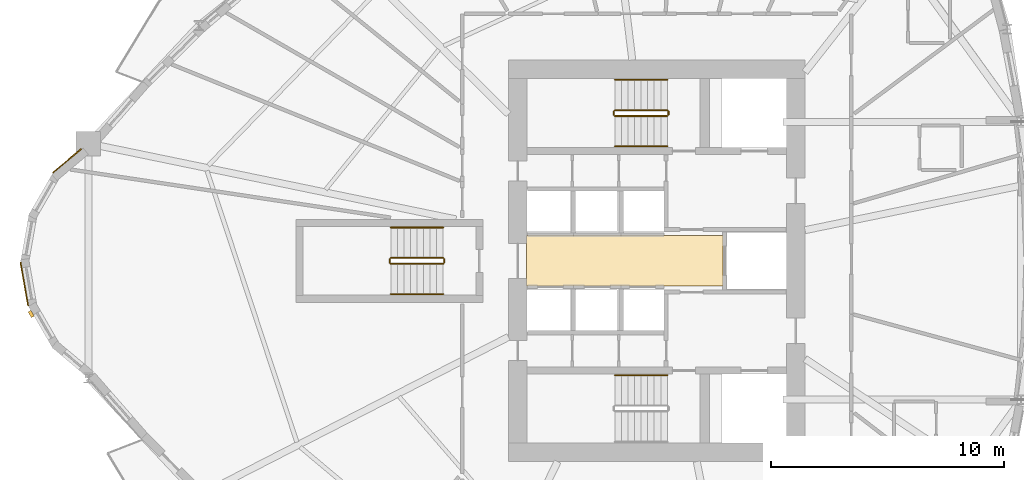
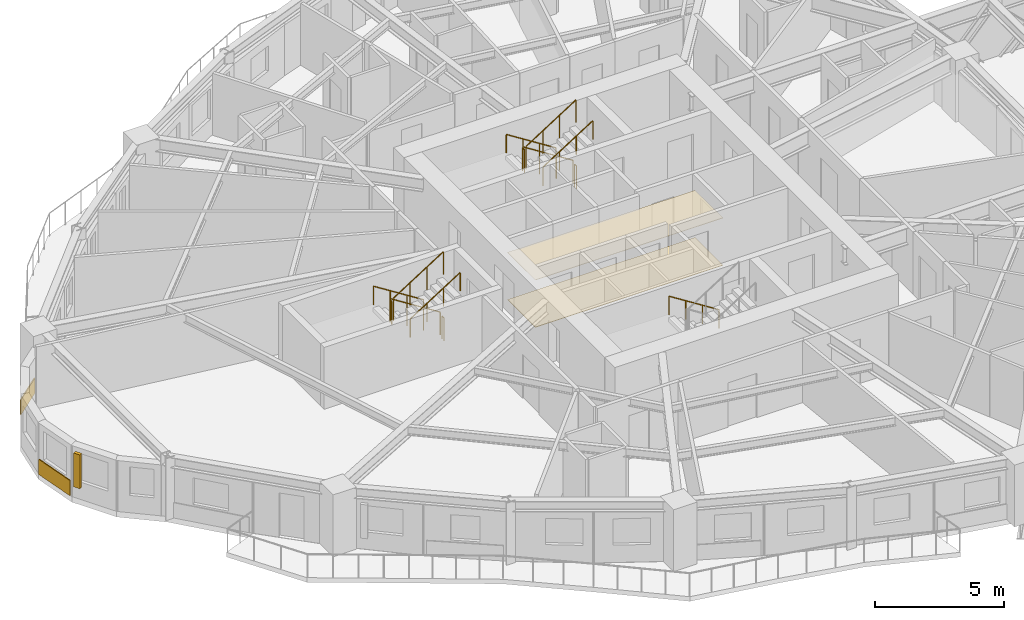
# One storey, part 15 of 18: 13 railings, 4 coverings, 1 shading device.
"""IFC4 building model written with IfcOpenShell, lengths in metres."""

from ifc_helpers import new_model, si_unit, direction, frame, origin, origin_2d, place, context, subcontext, project, spatial, polyline, rectangle, circle, outline, extrude, source, transform, mapped, material, layer, layer_set, type_object, element, save


model = new_model("IFC4")

# Units and contexts
model_context = context("Model", 3, precision=1e-05, world=origin(), true_north=direction((0.0, 1.0)))
body_context = subcontext(model_context, "Body", "Model", "MODEL_VIEW")
ifc_project = project(units=[si_unit("LENGTHUNIT", "METRE"), si_unit("AREAUNIT", "SQUARE_METRE"), si_unit("VOLUMEUNIT", "CUBIC_METRE"), si_unit("PLANEANGLEUNIT", "RADIAN"), si_unit("MASSUNIT", "GRAM", prefix="KILO")], contexts=[model_context])

# Site, building, storey
site_placement = place(None, origin())
site = spatial("IfcSite", under=ifc_project, at=site_placement, CompositionType="ELEMENT")
building_placement = place(site_placement, origin())
building = spatial("IfcBuilding", under=site, at=building_placement, Name="Qafzar Sky-Pleat Residences", CompositionType="ELEMENT")
storey_placement = place(building_placement, frame((0.0, 0.0, 27.0)))
storey = spatial("IfcBuildingStorey", under=building, at=storey_placement, Name="L07", CompositionType="ELEMENT", Elevation=27.0)

# Coverings
ifc_material_1 = material(Name="Perforated acoustic gypsum board ceiling")
ifc_layer_1 = layer(ifc_material_1, 0.02001953125)
ifc_layer_set_1 = layer_set([ifc_layer_1], Name="Perforated acoustic gypsum board ceiling")
covering_type_1 = type_object("IfcCoveringType", Name="COV-CEIL-ACOUSTIC", PredefinedType="CEILING", material=ifc_layer_set_1)
covering_1_placement = place(storey_placement, frame((0.0, 0.0, 2.239990234375)))
element("IfcCovering", 1, at=covering_1_placement, inside=storey, type_object=covering_type_1, Name="L07 Passenger Lift Lobby Acoustic Ceiling", PredefinedType="CEILING", context=body_context, shape_type="SweptSolid", body=[
    extrude(outline(polyline([(33.179931640625, 24.919921875), (24.77001953125, 24.919921875), (24.77001953125, 27.080078125), (33.179931640625, 27.080078125), (33.179931640625, 24.919921875)])), origin(), (0.0, 0.0, 1.0), 0.02001953125),
])
ifc_material_2 = material(Name="Honed porcelain and Riyadh stone tile flooring", Category="masonry")
ifc_layer_2 = layer(ifc_material_2, 0.02001953125)
ifc_layer_set_2 = layer_set([ifc_layer_2], Name="Honed porcelain and Riyadh stone tile flooring")
covering_type_2 = type_object("IfcCoveringType", Name="COV-FLR-PORCELAIN", PredefinedType="FLOORING", material=ifc_layer_set_2)
covering_2_placement = place(storey_placement, origin())
element("IfcCovering", 2, at=covering_2_placement, inside=storey, type_object=covering_type_2, Name="L07 Passenger Lift Lobby Honed Stone Flooring", PredefinedType="FLOORING", context=body_context, shape_type="SweptSolid", body=[
    extrude(outline(polyline([(33.179931640625, 24.919921875), (24.77001953125, 24.919921875), (24.77001953125, 27.080078125), (33.179931640625, 27.080078125), (33.179931640625, 24.919921875)])), origin(), (0.0, 0.0, 1.0), 0.02001953125),
])
ifc_material_3 = material(Name="Honed Riyadh Tuwaiq limestone cladding", Category="masonry")
ifc_layer_3 = layer(ifc_material_3, 0.044921875)
ifc_layer_set_3 = layer_set([ifc_layer_3], Name="Honed Riyadh Tuwaiq limestone cladding")
covering_type_3 = type_object("IfcCoveringType", Name="COV-CLAD-STONE", PredefinedType="CLADDING", material=ifc_layer_set_3)
shared_shape_1 = source(origin(), body_context, "Body", "SweptSolid", [
    extrude(rectangle(XDim=1.5771484375, YDim=0.044921875, at=origin_2d()), origin(), (0.0, 0.0, 1.0), 0.719970703125),
])
covering_3_placement = place(storey_placement, frame((5.094970703125, 30.28369140625, 0.02001953125), z_axis=(0.0, 0.0, 1.0), x_axis=(-0.766074606481, -0.642751660678, 0.0)))
element("IfcCovering", 3, at=covering_3_placement, inside=storey, type_object=covering_type_3, Name="L07 Riyadh Limestone Spandrel Cladding 1", PredefinedType="CLADDING", context=body_context, shape_type="MappedRepresentation", body=[
    mapped(shared_shape_1, transform((0.0, 0.0, 0.0), x_axis=(1.0, 0.0, 0.0), y_axis=(0.0, 1.0, 0.0), z_axis=(0.0, 0.0, 1.0), scale=1.0)),
])

# Shading device
ifc_material_4 = material(Name="Honed Riyadh limestone solar fin", Category="masonry")
ifc_layer_4 = layer(ifc_material_4, 0.139892578125)
ifc_layer_set_4 = layer_set([ifc_layer_4], Name="Honed Riyadh limestone solar fin")
shading_device_type = type_object("IfcShadingDeviceType", Name="SHD-FIN-STONE", PredefinedType="SHUTTER", material=ifc_layer_set_4)
shared_shape_2 = source(origin(), body_context, "Body", "SweptSolid", [
    extrude(rectangle(XDim=0.139892578125, YDim=0.280029296875, at=origin_2d()), origin(), (0.0, 0.0, 1.0), 1.60009765625),
])
shading_device_placement = place(storey_placement, frame((3.5546875, 23.72216796875, 0.599853515625), z_axis=(0.0, 0.0, 1.0), x_axis=(-0.86604422228, -0.499967403994, 0.0)))
element("IfcShadingDevice", 4, at=shading_device_placement, inside=storey, type_object=shading_device_type, Name="L07 Limestone Solar Fin 5", PredefinedType="SHUTTER", context=body_context, shape_type="MappedRepresentation", body=[
    mapped(shared_shape_2, transform((0.0, 0.0, 0.0), x_axis=(1.0, 0.0, 0.0), y_axis=(0.0, 1.0, 0.0), z_axis=(0.0, 0.0, 1.0), scale=1.0)),
])

# Covering
shared_shape_3 = source(origin(), body_context, "Body", "SweptSolid", [
    extrude(rectangle(XDim=1.88134765625, YDim=0.044921875, at=origin_2d()), origin(), (0.0, 0.0, 1.0), 0.719970703125),
])
covering_4_placement = place(storey_placement, frame((3.26318359375, 25.00439453125, 0.02001953125), z_axis=(0.0, 0.0, 1.0), x_axis=(0.173662519465, -0.984805224059, 0.0)))
element("IfcCovering", 5, at=covering_4_placement, inside=storey, type_object=covering_type_3, Name="L07 Riyadh Limestone Spandrel Cladding 4", PredefinedType="CLADDING", context=body_context, shape_type="MappedRepresentation", body=[
    mapped(shared_shape_3, transform((0.0, 0.0, 0.0), x_axis=(1.0, 0.0, 0.0), y_axis=(0.0, 1.0, 0.0), z_axis=(0.0, 0.0, 1.0), scale=1.0)),
])

# Railings
ifc_material_5 = material(Name="Painted Steel S355 stair guardrail", Category="steel")
railing_type_1 = type_object("IfcRailingType", Name="RAIL-STAIR-GUARD", PredefinedType="GUARDRAIL", material=ifc_material_5)
shared_shape_4 = source(origin(), body_context, "Body", "SweptSolid", [
    extrude(circle(Radius=0.02392578125, at=origin_2d()), frame((0.0, 0.0, 1.076171875), z_axis=(0.0, -1.0, 0.0), x_axis=(1.0, 0.0, 0.0)), (0.0, 0.0, 1.0), 0.14990234375),
    extrude(circle(Radius=0.02099609375, at=origin_2d()), origin(), (0.0, 0.0, 1.0), 1.052001953125),
    extrude(circle(Radius=0.02099609375, at=origin_2d()), frame((0.0, -0.14990234375, 0.0)), (0.0, 0.0, 1.0), 1.052001953125),
])
for number, where, name in (
    (6, (28.510009765625, 32.39990234375, 1.60009765625), "L07 ST2 stair guard 2"),
    (7, (30.85009765625, 32.39990234375, 0.0), "L07 ST2 stair guard 4"),
    (8, (18.909912109375, 26.074951171875, 1.60009765625), "L07 ST3 stair guard 2"),
    (9, (21.25, 26.074951171875, 0.0), "L07 ST3 stair guard 4"),
):
    element("IfcRailing", number, at=place(storey_placement, frame(where)), inside=storey, type_object=railing_type_1, Name=name, PredefinedType="GUARDRAIL", context=body_context, shape_type="MappedRepresentation", body=[
        mapped(shared_shape_4, transform((0.0, 0.0, 0.0), x_axis=(1.0, 0.0, 0.0), y_axis=(0.0, 1.0, 0.0), z_axis=(0.0, 0.0, 1.0), scale=1.0)),
    ])
shared_shape_5 = source(origin(), body_context, "Body", "SweptSolid", [
    extrude(circle(Radius=0.02392578125, at=origin_2d()), frame((0.0, 0.0, 1.076171875), z_axis=(0.8442293374, 0.0, 0.53598211339), x_axis=(0.0, 1.0, 0.0)), (0.0, 0.0, 1.0), 2.6533203125),
    extrude(circle(Radius=0.02099609375, at=origin_2d()), origin(), (0.0, 0.0, 1.0), 1.052001953125),
    extrude(circle(Radius=0.02099609375, at=origin_2d()), frame((0.74658203125, 0.0, 0.47412109375)), (0.0, 0.0, 1.0), 1.052001953125),
    extrude(circle(Radius=0.02099609375, at=origin_2d()), frame((1.493408203125, 0.0, 0.947998046875)), (0.0, 0.0, 1.0), 1.052001953125),
    extrude(circle(Radius=0.02099609375, at=origin_2d()), frame((2.239990234375, 0.0, 1.422119140625)), (0.0, 0.0, 1.0), 1.052001953125),
])
for number, where, name in (
    (10, (28.56005859375, 32.199951171875, 1.77783203125), "L07 ST2 stair guard 3"),
    (11, (18.9599609375, 25.875, 1.77783203125), "L07 ST3 stair guard 3"),
):
    element("IfcRailing", number, at=place(storey_placement, frame(where)), inside=storey, type_object=railing_type_1, Name=name, PredefinedType="GUARDRAIL", context=body_context, shape_type="MappedRepresentation", body=[
        mapped(shared_shape_5, transform((0.0, 0.0, 0.0), x_axis=(1.0, 0.0, 0.0), y_axis=(0.0, 1.0, 0.0), z_axis=(0.0, 0.0, 1.0), scale=1.0)),
    ])
ifc_material_6 = material(Name="Brushed stainless steel handrail", Category="steel")
railing_type_2 = type_object("IfcRailingType", Name="RAIL-STAIR-HAND", PredefinedType="HANDRAIL", material=ifc_material_6)
shared_shape_6 = source(origin(), body_context, "Body", "SweptSolid", [
    extrude(circle(Radius=0.02392578125, at=origin_2d()), frame((0.0, 0.0, 0.8759765625), z_axis=(0.8442293374, 0.0, 0.53598211339), x_axis=(0.0, 1.0, 0.0)), (0.0, 0.0, 1.0), 2.6533203125),
    extrude(circle(Radius=0.02099609375, at=origin_2d()), origin(), (0.0, 0.0, 1.0), 0.851806640625),
    extrude(circle(Radius=0.02099609375, at=origin_2d()), frame((0.74658203125, 0.0, 0.47412109375)), (0.0, 0.0, 1.0), 0.851806640625),
    extrude(circle(Radius=0.02099609375, at=origin_2d()), frame((1.493408203125, 0.0, 0.947998046875)), (0.0, 0.0, 1.0), 0.851806640625),
    extrude(circle(Radius=0.02099609375, at=origin_2d()), frame((2.239990234375, 0.0, 1.422119140625)), (0.0, 0.0, 1.0), 0.851806640625),
])
for number, where, name in (
    (12, (28.56005859375, 30.89990234375, 1.77783203125), "L07 ST2 stair handrail 2"),
    (13, (18.9599609375, 24.574951171875, 1.77783203125), "L07 ST3 stair handrail 2"),
):
    element("IfcRailing", number, at=place(storey_placement, frame(where)), inside=storey, type_object=railing_type_2, Name=name, PredefinedType="HANDRAIL", context=body_context, shape_type="MappedRepresentation", body=[
        mapped(shared_shape_6, transform((0.0, 0.0, 0.0), x_axis=(1.0, 0.0, 0.0), y_axis=(0.0, 1.0, 0.0), z_axis=(0.0, 0.0, 1.0), scale=1.0)),
    ])
shared_shape_7 = source(origin(), body_context, "Body", "SweptSolid", [
    extrude(circle(Radius=0.02392578125, at=origin_2d()), frame((0.0, 0.0, 1.076171875), z_axis=(-0.84418770128, 0.0, 0.536047689118), x_axis=(0.0, -1.0, 0.0)), (0.0, 0.0, 1.0), 2.6533203125),
    extrude(circle(Radius=0.02099609375, at=origin_2d()), origin(), (0.0, 0.0, 1.0), 1.052001953125),
    extrude(circle(Radius=0.02099609375, at=origin_2d()), frame((-0.74658203125, 0.0, 0.47412109375)), (0.0, 0.0, 1.0), 1.052001953125),
    extrude(circle(Radius=0.02099609375, at=origin_2d()), frame((-1.493408203125, 0.0, 0.9482421875)), (0.0, 0.0, 1.0), 1.052001953125),
    extrude(circle(Radius=0.02099609375, at=origin_2d()), frame((-2.239990234375, 0.0, 1.42236328125)), (0.0, 0.0, 1.0), 1.052001953125),
])
for number, where, name in (
    (14, (30.800048828125, 32.449951171875, 0.177734375), "L07 ST2 stair guard 1"),
    (15, (21.199951171875, 26.125, 0.177734375), "L07 ST3 stair guard 1"),
):
    element("IfcRailing", number, at=place(storey_placement, frame(where)), inside=storey, type_object=railing_type_1, Name=name, PredefinedType="GUARDRAIL", context=body_context, shape_type="MappedRepresentation", body=[
        mapped(shared_shape_7, transform((0.0, 0.0, 0.0), x_axis=(1.0, 0.0, 0.0), y_axis=(0.0, 1.0, 0.0), z_axis=(0.0, 0.0, 1.0), scale=1.0)),
    ])
shared_shape_8 = source(origin(), body_context, "Body", "SweptSolid", [
    extrude(circle(Radius=0.02392578125, at=origin_2d()), frame((0.0, 0.0, 0.8759765625), z_axis=(-0.84418770128, 0.0, 0.536047689118), x_axis=(0.0, -1.0, 0.0)), (0.0, 0.0, 1.0), 2.6533203125),
    extrude(circle(Radius=0.02099609375, at=origin_2d()), origin(), (0.0, 0.0, 1.0), 0.851806640625),
    extrude(circle(Radius=0.02099609375, at=origin_2d()), frame((-0.74658203125, 0.0, 0.47412109375)), (0.0, 0.0, 1.0), 0.851806640625),
    extrude(circle(Radius=0.02099609375, at=origin_2d()), frame((-1.493408203125, 0.0, 0.9482421875)), (0.0, 0.0, 1.0), 0.851806640625),
    extrude(circle(Radius=0.02099609375, at=origin_2d()), frame((-2.239990234375, 0.0, 1.42236328125)), (0.0, 0.0, 1.0), 0.851806640625),
])
for number, where, name in (
    (16, (30.800048828125, 21.10009765625, 0.177734375), "L07 ST1 stair handrail 1"),
    (17, (30.800048828125, 33.75, 0.177734375), "L07 ST2 stair handrail 1"),
    (18, (21.199951171875, 27.425048828125, 0.177734375), "L07 ST3 stair handrail 1"),
):
    element("IfcRailing", number, at=place(storey_placement, frame(where)), inside=storey, type_object=railing_type_2, Name=name, PredefinedType="HANDRAIL", context=body_context, shape_type="MappedRepresentation", body=[
        mapped(shared_shape_8, transform((0.0, 0.0, 0.0), x_axis=(1.0, 0.0, 0.0), y_axis=(0.0, 1.0, 0.0), z_axis=(0.0, 0.0, 1.0), scale=1.0)),
    ])

save(model, "model.ifc")
